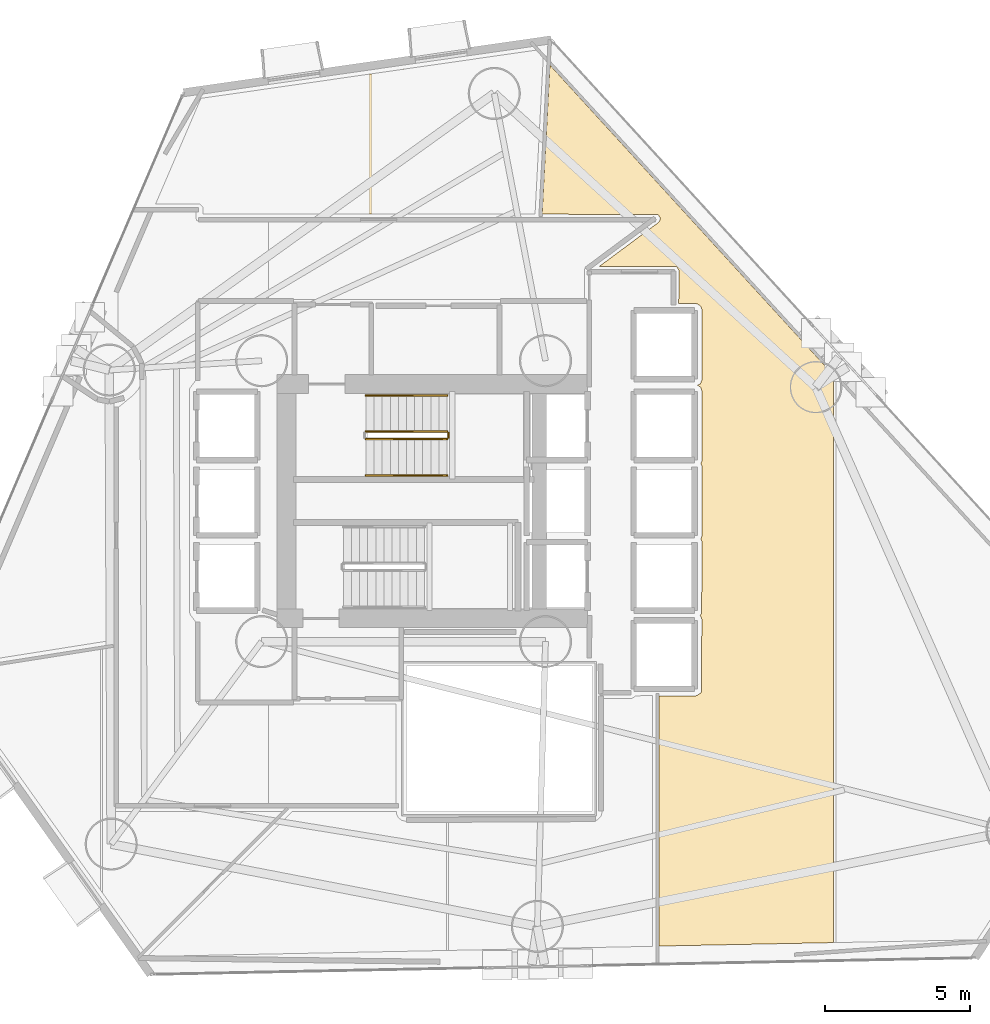
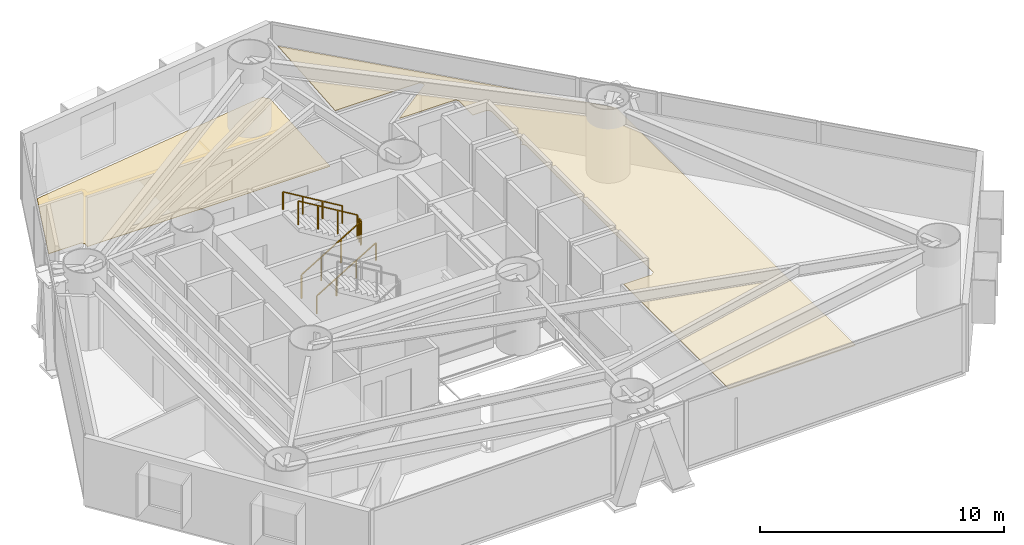
# One storey, part 21 of 22: 5 railings, 2 coverings.
"""IFC4 building model written with IfcOpenShell, lengths in metres."""

from ifc_helpers import new_model, si_unit, direction, frame, origin, origin_2d, place, context, subcontext, project, spatial, polyline, rectangle, outline, extrude, material, layer, layer_set, type_object, element, save


model = new_model("IFC4")

# Units and contexts
model_context = context("Model", 3, precision=1e-05, world=origin(), true_north=direction((0.0, 1.0)))
body_context = subcontext(model_context, "Body", "Model", "MODEL_VIEW")
ifc_project = project(units=[si_unit("LENGTHUNIT", "METRE"), si_unit("AREAUNIT", "SQUARE_METRE"), si_unit("VOLUMEUNIT", "CUBIC_METRE"), si_unit("PLANEANGLEUNIT", "RADIAN"), si_unit("MASSUNIT", "GRAM", prefix="KILO")], contexts=[model_context])

# Site, building, storey
site_placement = place(None, origin())
site = spatial("IfcSite", under=ifc_project, at=site_placement, CompositionType="ELEMENT")
building_placement = place(site_placement, origin())
building = spatial("IfcBuilding", under=site, at=building_placement, Name="Qianvela Tower", CompositionType="ELEMENT")
storey_placement = place(building_placement, frame((0.0, 0.0, 44.199951171875)))
storey = spatial("IfcBuildingStorey", under=building, at=storey_placement, Name="L10", CompositionType="ELEMENT", Elevation=44.199951171875)

# Coverings
ifc_material_1 = material(Name="Perforated Mineral Acoustic Ceiling Tile")
ifc_layer_1 = layer(ifc_material_1, 0.02490234375)
ifc_layer_set_1 = layer_set([ifc_layer_1], Name="Perforated Mineral Acoustic Ceiling Tile")
covering_type_1 = type_object("IfcCoveringType", Name="COV-CEIL-ACOUSTIC-25", PredefinedType="CEILING", material=ifc_layer_set_1)
covering_1_placement = place(storey_placement, frame((0.0, 0.0, 2.695068359375)))
element("IfcCovering", 1, at=covering_1_placement, inside=storey, type_object=covering_type_1, Name="L10 Acoustic Ceiling Bay 1 Quiet Reading Study L10-02", PredefinedType="CEILING", context=body_context, shape_type="SweptSolid", body=[
    extrude(outline(polyline([(43.59375, 21.980712890625), (43.6015625, 21.981201171875), (43.609375, 21.982177734375), (43.616943359375, 21.984130859375), (43.624267578125, 21.98681640625), (43.63134765625, 21.989990234375), (43.63818359375, 21.994140625), (43.747802734375, 22.0673828125), (43.754150390625, 22.072021484375), (43.760009765625, 22.077392578125), (43.76513671875, 22.0830078125), (43.77001953125, 22.08935546875), (43.77392578125, 22.09619140625), (43.77734375, 22.10302734375), (43.77978515625, 22.1103515625), (43.781982421875, 22.117919921875), (43.782958984375, 22.125732421875), (43.783447265625, 22.133544921875), (43.79931640625, 24.61328125), (43.799072265625, 24.620361328125), (43.798095703125, 24.62744140625), (43.796630859375, 24.634521484375), (43.79443359375, 24.641357421875), (43.79150390625, 24.64794921875), (43.751220703125, 24.733154296875), (43.74755859375, 24.739990234375), (43.743408203125, 24.74658203125), (43.73828125, 24.752685546875), (43.736083984375, 24.7548828125), (43.7783203125, 24.811767578125), (43.782958984375, 24.81884765625), (43.786865234375, 24.826416015625), (43.789794921875, 24.834228515625), (43.7919921875, 24.84228515625), (43.79345703125, 24.8505859375), (43.7939453125, 24.859130859375), (43.800048828125, 27.2998046875), (43.799560546875, 27.307861328125), (43.79833984375, 27.315673828125), (43.79638671875, 27.323486328125), (43.793701171875, 27.3310546875), (43.7646484375, 27.39990234375), (43.793701171875, 27.468994140625), (43.79638671875, 27.476318359375), (43.79833984375, 27.484130859375), (43.799560546875, 27.491943359375), (43.800048828125, 27.5), (43.800048828125, 29.89990234375), (43.799560546875, 29.907958984375), (43.79833984375, 29.915771484375), (43.79638671875, 29.923583984375), (43.793701171875, 29.93115234375), (43.7646484375, 30.0), (43.793701171875, 30.06884765625), (43.79638671875, 30.076416015625), (43.79833984375, 30.084228515625), (43.799560546875, 30.092041015625), (43.800048828125, 30.10009765625), (43.800048828125, 32.5), (43.799560546875, 32.509033203125), (43.7978515625, 32.518310546875), (43.79541015625, 32.527099609375), (43.763427734375, 32.61572265625), (43.7607421875, 32.62255859375), (43.75732421875, 32.629150390625), (43.75341796875, 32.63525390625), (43.748779296875, 32.64111328125), (43.74365234375, 32.646484375), (43.73828125, 32.6513671875), (43.732421875, 32.655517578125), (43.725830078125, 32.659423828125), (43.6455078125, 32.702392578125), (43.722412109375, 32.739013671875), (43.729248046875, 32.74267578125), (43.73583984375, 32.746826171875), (43.741943359375, 32.751953125), (43.74755859375, 32.757568359375), (43.75244140625, 32.763427734375), (43.7568359375, 32.77001953125), (43.760498046875, 32.777099609375), (43.763427734375, 32.7841796875), (43.79541015625, 32.873046875), (43.79736328125, 32.879638671875), (43.798828125, 32.88623046875), (43.7998046875, 32.893310546875), (43.800048828125, 32.89990234375), (43.79931640625, 35.313720703125), (43.798828125, 35.321533203125), (43.7978515625, 35.329345703125), (43.7958984375, 35.3369140625), (43.793212890625, 35.34423828125), (43.76220703125, 35.41943359375), (43.758544921875, 35.427001953125), (43.75390625, 35.434326171875), (43.748779296875, 35.441162109375), (43.742919921875, 35.447265625), (43.736328125, 35.45263671875), (43.729248046875, 35.45751953125), (43.6484375, 35.505859375), (43.640869140625, 35.510009765625), (43.6328125, 35.51318359375), (43.62451171875, 35.515380859375), (43.6162109375, 35.516845703125), (43.607666015625, 35.517333984375), (43.0, 35.519775390625), (43.010009765625, 36.6494140625), (43.009765625, 36.6572265625), (43.008544921875, 36.6650390625), (43.006591796875, 36.6728515625), (43.00390625, 36.680419921875), (43.00048828125, 36.6875), (42.99658203125, 36.6943359375), (42.947021484375, 36.768310546875), (42.9423828125, 36.774658203125), (42.937255859375, 36.780517578125), (42.931396484375, 36.78564453125), (42.925048828125, 36.790283203125), (42.91845703125, 36.79443359375), (42.911376953125, 36.7978515625), (42.904052734375, 36.80029296875), (42.896484375, 36.80224609375), (42.888671875, 36.803466796875), (42.880859375, 36.803955078125), (40.26220703125, 36.8095703125), (42.298583984375, 38.321533203125), (42.3046875, 38.32666015625), (42.310302734375, 38.332275390625), (42.315185546875, 38.33837890625), (42.319580078125, 38.34521484375), (42.323486328125, 38.352294921875), (42.35546875, 38.422119140625), (42.3583984375, 38.429443359375), (42.360595703125, 38.437255859375), (42.3623046875, 38.445068359375), (42.36279296875, 38.452880859375), (42.36279296875, 38.4609375), (42.36181640625, 38.468994140625), (42.360107421875, 38.476806640625), (42.357421875, 38.484375), (42.354248046875, 38.49169921875), (42.35009765625, 38.498779296875), (42.308837890625, 38.563232421875), (42.30419921875, 38.56982421875), (42.298828125, 38.57568359375), (42.293212890625, 38.581298828125), (42.28662109375, 38.586181640625), (42.27978515625, 38.59033203125), (42.272705078125, 38.59375), (42.265380859375, 38.5966796875), (42.257568359375, 38.5986328125), (42.24951171875, 38.599853515625), (42.24169921875, 38.60009765625), (38.282958984375, 38.60986328125), (38.552734375, 43.7568359375), (48.345458984375, 33.050048828125), (48.345458984375, 13.456298828125), (42.317626953125, 13.3369140625), (42.3173828125, 21.97998046875), (43.59375, 21.980712890625)])), origin(), (0.0, 0.0, 1.0), 0.02490234375),
])
ifc_material_2 = material(Name="Engineered Acoustic Oak Timber Flooring", Category="wood")
ifc_layer_2 = layer(ifc_material_2, 0.02001953125)
ifc_layer_set_2 = layer_set([ifc_layer_2], Name="Engineered Acoustic Oak Timber Flooring")
covering_type_2 = type_object("IfcCoveringType", Name="COV-FLOOR-OAK-20", PredefinedType="FLOORING", material=ifc_layer_set_2)
covering_2_placement = place(storey_placement, origin())
element("IfcCovering", 2, at=covering_2_placement, inside=storey, type_object=covering_type_2, Name="L10 Finish Flooring Panoramic Study Lounge L10-03", PredefinedType="FLOORING", context=body_context, shape_type="SweptSolid", body=[
    extrude(outline(polyline([(38.32177734375, 44.009521484375), (38.038818359375, 38.610107421875), (26.57958984375, 38.610107421875), (26.57861328125, 38.81591796875), (26.577880859375, 38.82373046875), (26.576904296875, 38.83154296875), (26.574951171875, 38.839111328125), (26.572265625, 38.846435546875), (26.56884765625, 38.853515625), (26.56494140625, 38.860107421875), (26.560302734375, 38.866455078125), (26.554931640625, 38.872314453125), (26.4921875, 38.93505859375), (26.486328125, 38.940185546875), (26.47998046875, 38.945068359375), (26.473388671875, 38.948974609375), (26.46630859375, 38.952392578125), (26.458984375, 38.955078125), (26.451416015625, 38.956787109375), (26.443603515625, 38.9580078125), (26.435791015625, 38.95849609375), (24.936279296875, 38.9599609375), (26.50048828125, 42.609375), (38.078857421875, 44.27490234375), (38.32177734375, 44.009521484375)])), origin(), (0.0, 0.0, 1.0), 0.02001953125),
])

# Railings
ifc_material_3 = material(Name="Painted Tubular Steel Q355B", Category="steel")
railing_type_1 = type_object("IfcRailingType", Name="RL-STAIR-GUARD-1200", PredefinedType="GUARDRAIL", material=ifc_material_3)
railing_1_placement = place(storey_placement, frame((32.199951171875, 30.840087890625, 0.168212890625)))
element("IfcRailing", 3, at=railing_1_placement, inside=storey, type_object=railing_type_1, Name="L10 ST-1 stair guard 1", PredefinedType="GUARDRAIL", context=body_context, shape_type="SweptSolid", body=[
    extrude(rectangle(XDim=0.050048828125, YDim=0.0400390625, at=origin_2d()), frame((0.0, 0.0, 1.179931640625), z_axis=(0.857242210791, 0.0, 0.514913383045), x_axis=(0.0, 1.0, 0.0)), (0.0, 0.0, 1.0), 3.266357421875),
    extrude(rectangle(XDim=0.050048828125, YDim=0.050048828125, at=origin_2d()), origin(), (0.0, 0.0, 1.0), 1.159912109375),
    extrude(rectangle(XDim=0.050048828125, YDim=0.050048828125, at=origin_2d()), frame((0.933349609375, 0.0, 0.560546875)), (0.0, 0.0, 1.0), 1.159912109375),
    extrude(rectangle(XDim=0.050048828125, YDim=0.050048828125, at=origin_2d()), frame((1.86669921875, 0.0, 1.121337890625)), (0.0, 0.0, 1.0), 1.159912109375),
    extrude(rectangle(XDim=0.050048828125, YDim=0.050048828125, at=origin_2d()), frame((2.800048828125, 0.0, 1.681884765625)), (0.0, 0.0, 1.0), 1.159912109375),
])
railing_2_placement = place(storey_placement, frame((35.050048828125, 30.889892578125, 1.85009765625)))
element("IfcRailing", 4, at=railing_2_placement, inside=storey, type_object=railing_type_1, Name="L10 ST-1 stair guard 2", PredefinedType="GUARDRAIL", context=body_context, shape_type="SweptSolid", body=[
    extrude(rectangle(XDim=0.050048828125, YDim=0.0400390625, at=origin_2d()), frame((0.0, 0.0, 1.179931640625), z_axis=(0.0, 1.0, 0.0), x_axis=(-1.0, 0.0, 0.0)), (0.0, 0.0, 1.0), 0.16015625),
    extrude(rectangle(XDim=0.050048828125, YDim=0.050048828125, at=origin_2d()), origin(), (0.0, 0.0, 1.0), 1.159912109375),
    extrude(rectangle(XDim=0.050048828125, YDim=0.050048828125, at=origin_2d()), frame((0.0, 0.16015625, 0.0)), (0.0, 0.0, 1.0), 1.159912109375),
])
railing_3_placement = place(storey_placement, frame((35.0, 31.10009765625, 2.018310546875)))
element("IfcRailing", 5, at=railing_3_placement, inside=storey, type_object=railing_type_1, Name="L10 ST-1 stair guard 3", PredefinedType="GUARDRAIL", context=body_context, shape_type="SweptSolid", body=[
    extrude(rectangle(XDim=0.050048828125, YDim=0.0400390625, at=origin_2d()), frame((0.0, 0.0, 1.179931640625), z_axis=(-0.857275202839, 0.0, 0.514858452973), x_axis=(0.0, -1.0, 0.0)), (0.0, 0.0, 1.0), 3.26611328125),
    extrude(rectangle(XDim=0.050048828125, YDim=0.050048828125, at=origin_2d()), origin(), (0.0, 0.0, 1.0), 1.159912109375),
    extrude(rectangle(XDim=0.050048828125, YDim=0.050048828125, at=origin_2d()), frame((-0.933349609375, 0.0, 0.560546875)), (0.0, 0.0, 1.0), 1.159912109375),
    extrude(rectangle(XDim=0.050048828125, YDim=0.050048828125, at=origin_2d()), frame((-1.86669921875, 0.0, 1.12109375)), (0.0, 0.0, 1.0), 1.159912109375),
    extrude(rectangle(XDim=0.050048828125, YDim=0.050048828125, at=origin_2d()), frame((-2.800048828125, 0.0, 1.681640625)), (0.0, 0.0, 1.0), 1.159912109375),
])
ifc_material_4 = material(Name="Brushed Stainless Steel 304", Category="steel")
railing_type_2 = type_object("IfcRailingType", Name="RL-STAIR-HANDRAIL-900", PredefinedType="HANDRAIL", material=ifc_material_4)
railing_4_placement = place(storey_placement, frame((32.199951171875, 29.590087890625, 0.168212890625)))
element("IfcRailing", 6, at=railing_4_placement, inside=storey, type_object=railing_type_2, Name="L10 ST-1 stair handrail 1", PredefinedType="HANDRAIL", context=body_context, shape_type="SweptSolid", body=[
    extrude(rectangle(XDim=0.050048828125, YDim=0.0400390625, at=origin_2d()), frame((0.0, 0.0, 0.8798828125), z_axis=(0.857242210791, 0.0, 0.514913383045), x_axis=(0.0, 1.0, 0.0)), (0.0, 0.0, 1.0), 3.266357421875),
    extrude(rectangle(XDim=0.050048828125, YDim=0.050048828125, at=origin_2d()), origin(), (0.0, 0.0, 1.0), 0.85986328125),
    extrude(rectangle(XDim=0.050048828125, YDim=0.050048828125, at=origin_2d()), frame((0.933349609375, 0.0, 0.560546875)), (0.0, 0.0, 1.0), 0.85986328125),
    extrude(rectangle(XDim=0.050048828125, YDim=0.050048828125, at=origin_2d()), frame((1.86669921875, 0.0, 1.121337890625)), (0.0, 0.0, 1.0), 0.85986328125),
    extrude(rectangle(XDim=0.050048828125, YDim=0.050048828125, at=origin_2d()), frame((2.800048828125, 0.0, 1.681884765625)), (0.0, 0.0, 1.0), 0.85986328125),
])
railing_5_placement = place(storey_placement, frame((35.0, 32.35009765625, 2.018310546875)))
element("IfcRailing", 7, at=railing_5_placement, inside=storey, type_object=railing_type_2, Name="L10 ST-1 stair handrail 2", PredefinedType="HANDRAIL", context=body_context, shape_type="SweptSolid", body=[
    extrude(rectangle(XDim=0.050048828125, YDim=0.0400390625, at=origin_2d()), frame((0.0, 0.0, 0.8798828125), z_axis=(-0.857275202839, 0.0, 0.514858452973), x_axis=(0.0, -1.0, 0.0)), (0.0, 0.0, 1.0), 3.26611328125),
    extrude(rectangle(XDim=0.050048828125, YDim=0.050048828125, at=origin_2d()), origin(), (0.0, 0.0, 1.0), 0.85986328125),
    extrude(rectangle(XDim=0.050048828125, YDim=0.050048828125, at=origin_2d()), frame((-0.933349609375, 0.0, 0.560546875)), (0.0, 0.0, 1.0), 0.85986328125),
    extrude(rectangle(XDim=0.050048828125, YDim=0.050048828125, at=origin_2d()), frame((-1.86669921875, 0.0, 1.12109375)), (0.0, 0.0, 1.0), 0.85986328125),
    extrude(rectangle(XDim=0.050048828125, YDim=0.050048828125, at=origin_2d()), frame((-2.800048828125, 0.0, 1.681640625)), (0.0, 0.0, 1.0), 0.85986328125),
])

save(model, "model.ifc")
